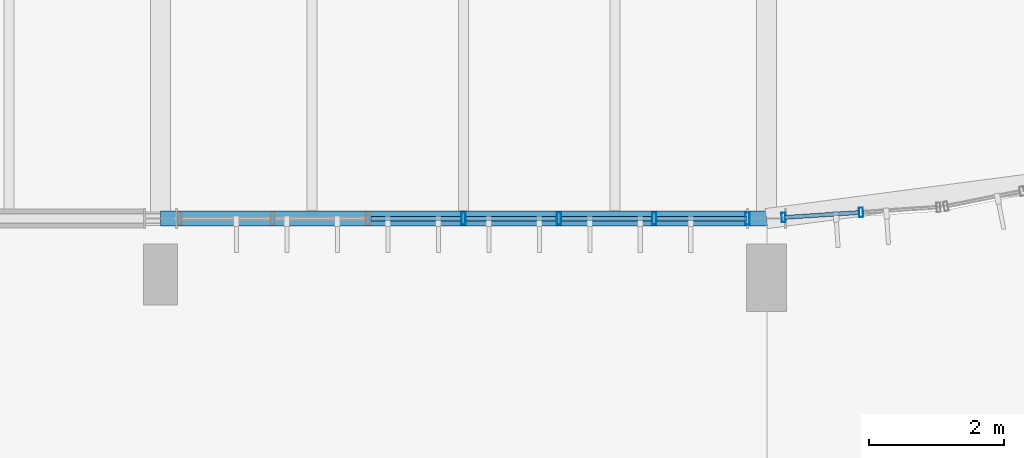
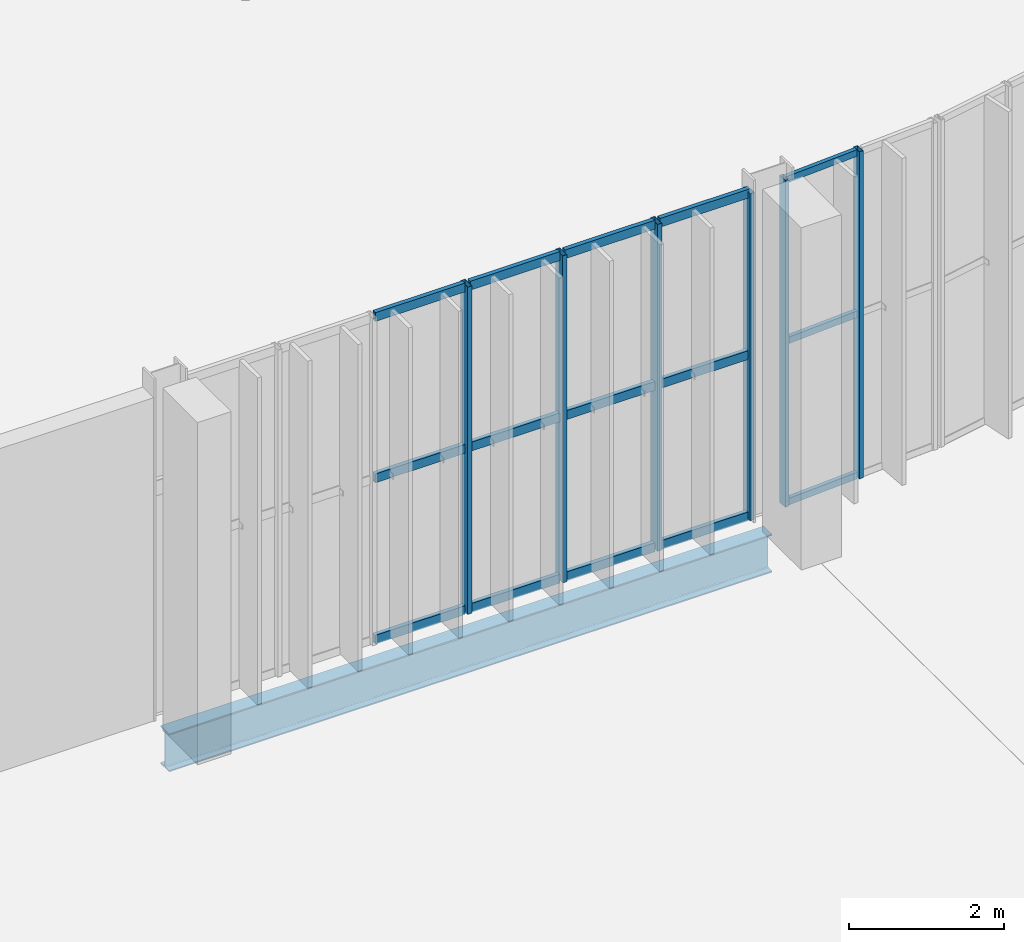
# One storey, part 46 of 158: 21 members, 1 beam, 2 elements without a shape of their own.
"""IFC4 building model written with IfcOpenShell, lengths in metres."""

from ifc_helpers import new_model, si_unit, derived_unit, direction, frame, origin, origin_2d, place, context, subcontext, project, spatial, hollow_rectangle, i_section, extrude, material, material_profile, profile_set, type_object, element, aggregate, save


model = new_model("IFC4")

# Units and contexts
model_context = context("Model", 3, precision=1e-05, world=origin(), true_north=direction((0.0, 1.0)))
body_context = subcontext(model_context, "Body", "Model", "MODEL_VIEW")
ifc_project = project(units=[si_unit("LENGTHUNIT", "METRE"), si_unit("AREAUNIT", "SQUARE_METRE"), si_unit("VOLUMEUNIT", "CUBIC_METRE"), si_unit("PLANEANGLEUNIT", "RADIAN"), si_unit("MASSUNIT", "GRAM", prefix="KILO"), si_unit("THERMODYNAMICTEMPERATUREUNIT", "KELVIN"), si_unit("TIMEUNIT", "SECOND"), derived_unit("THERMALTRANSMITTANCEUNIT", [(si_unit("MASSUNIT", "GRAM", prefix="KILO"), 1), (si_unit("THERMODYNAMICTEMPERATUREUNIT", "KELVIN"), -1), (si_unit("TIMEUNIT", "SECOND"), -3)])], contexts=[model_context])

# Site, building, storey
site_placement = place(None, origin())
site = spatial("IfcSite", under=ifc_project, at=site_placement, CompositionType="ELEMENT")
building_placement = place(site_placement, origin())
building = spatial("IfcBuilding", under=site, at=building_placement, Name="Cambertide Market Hall", CompositionType="ELEMENT")
storey_placement = place(building_placement, origin())
storey = spatial("IfcBuildingStorey", under=building, at=storey_placement, Name="L01", CompositionType="ELEMENT", Elevation=0.0)

# Curtain wall, members
ifc_material_1 = material(Name="Marine Anodized Aluminium 6063-T6 AA25", Category="aluminium")
curtain_wall_type_1 = type_object("IfcCurtainWallType", Name="Lantern Apse Chord Lower Curtain Wall", PredefinedType="USERDEFINED", material=ifc_material_1)
curtain_wall_1_placement = place(storey_placement, origin())
curtain_wall_1 = element("IfcCurtainWall", 1, at=curtain_wall_1_placement, inside=storey, type_object=curtain_wall_type_1, Name="Level 1 Curtain Wall CW-V1AE-L01-01", ObjectType="UNITIZED CURTAIN WALL", PredefinedType="USERDEFINED")
ifc_material_2 = material(Name="Champagne Marine Anodized Aluminium 6063-T6 AA25", Category="aluminium")
ifc_material_profile_1 = material_profile(ifc_material_2, hollow_rectangle(XDim=0.06005859375, YDim=0.139892578125, WallThickness=0.00341796875, at=origin_2d()), Name="ALU MULLION 60x140")
ifc_profile_set_1 = profile_set([ifc_material_profile_1], Name="Champagne Marine Anodized Aluminium 6063-T6 AA25")
member_type_1 = type_object("IfcMemberType", Name="Curtain Wall Mullion ALU MULLION 60x140", PredefinedType="MULLION", material=ifc_profile_set_1)
member_1_placement = place(storey_placement, frame((106.405029296875, 52.092041015625, 0.0), z_axis=(0.0, 0.0, 1.0), x_axis=(-0.997858917819, -0.065403211921, 0.0)))
member_1 = element("IfcMember", 2, at=member_1_placement, type_object=member_type_1, Name="CW-V1AE-L01-01 Mullion 2", PredefinedType="MULLION", context=body_context, shape_type="SweptSolid", body=[
    extrude(hollow_rectangle(XDim=0.06005859375, YDim=0.139892578125, WallThickness=0.00341796875, at=origin_2d()), origin(), (0.0, 0.0, 1.0), 5.159912109375),
])
member_2_placement = place(storey_placement, frame((105.25439453125, 52.0166015625, 0.0), z_axis=(0.0, 0.0, 1.0), x_axis=(-0.997858917819, -0.065403211921, 0.0)))
member_2 = element("IfcMember", 3, at=member_2_placement, type_object=member_type_1, Name="CW-V1AE-L01-01 Mullion 3", PredefinedType="MULLION", context=body_context, shape_type="SweptSolid", body=[
    extrude(hollow_rectangle(XDim=0.06005859375, YDim=0.139892578125, WallThickness=0.00341796875, at=origin_2d()), origin(), (0.0, 0.0, 1.0), 5.159912109375),
])

ifc_material_3 = material(Name="Marine Anodized Aluminium 6063-T6 AA25", Category="aluminium")
curtain_wall_type_2 = type_object("IfcCurtainWallType", Name="Lantern Straight Lower Curtain Wall", PredefinedType="USERDEFINED", material=ifc_material_3)
curtain_wall_2_placement = place(storey_placement, origin())
curtain_wall_2 = element("IfcCurtainWall", 4, at=curtain_wall_2_placement, inside=storey, type_object=curtain_wall_type_2, Name="Level 1 Curtain Wall CW-V1S-L01-7", ObjectType="UNITIZED CURTAIN WALL", PredefinedType="USERDEFINED")
ifc_material_4 = material(Name="Champagne Marine Anodized Aluminium 6063-T6 AA25", Category="aluminium")
ifc_material_profile_2 = material_profile(ifc_material_4, hollow_rectangle(XDim=0.06494140625, YDim=0.179931640625, WallThickness=0.00390625, at=origin_2d()), Name="ALU MULLION 65x180")
ifc_profile_set_2 = profile_set([ifc_material_profile_2], Name="Champagne Marine Anodized Aluminium 6063-T6 AA25")
member_type_2 = type_object("IfcMemberType", Name="Curtain Wall Mullion ALU MULLION 65x180", PredefinedType="MULLION", material=ifc_profile_set_2)
member_3_placement = place(storey_placement, frame((104.715087890625, 52.0, 0.0), z_axis=(0.0, 0.0, 1.0), x_axis=(-1.0, 0.0, 0.0)))
member_3 = element("IfcMember", 5, at=member_3_placement, type_object=member_type_2, Name="CW-V1S-L01-7 Mullion 1", PredefinedType="MULLION", context=body_context, shape_type="SweptSolid", body=[
    extrude(hollow_rectangle(XDim=0.06494140625, YDim=0.179931640625, WallThickness=0.00390625, at=origin_2d()), origin(), (0.0, 0.0, 1.0), 5.159912109375),
])
member_4_placement = place(storey_placement, frame((103.333251953125, 52.0, 0.0), z_axis=(0.0, 0.0, 1.0), x_axis=(-1.0, 0.0, 0.0)))
member_4 = element("IfcMember", 6, at=member_4_placement, type_object=member_type_2, Name="CW-V1S-L01-7 Mullion 2", PredefinedType="MULLION", context=body_context, shape_type="SweptSolid", body=[
    extrude(hollow_rectangle(XDim=0.06494140625, YDim=0.179931640625, WallThickness=0.00390625, at=origin_2d()), origin(), (0.0, 0.0, 1.0), 5.159912109375),
])
member_5_placement = place(storey_placement, frame((101.916748046875, 52.0, 0.0), z_axis=(0.0, 0.0, 1.0), x_axis=(-1.0, 0.0, 0.0)))
member_5 = element("IfcMember", 7, at=member_5_placement, type_object=member_type_2, Name="CW-V1S-L01-7 Mullion 3", PredefinedType="MULLION", context=body_context, shape_type="SweptSolid", body=[
    extrude(hollow_rectangle(XDim=0.06494140625, YDim=0.179931640625, WallThickness=0.00390625, at=origin_2d()), origin(), (0.0, 0.0, 1.0), 5.159912109375),
])
member_6_placement = place(storey_placement, frame((100.5, 52.0, 0.0), z_axis=(0.0, 0.0, 1.0), x_axis=(-1.0, 0.0, 0.0)))
member_6 = element("IfcMember", 8, at=member_6_placement, type_object=member_type_2, Name="CW-V1S-L01-7 Mullion 4", PredefinedType="MULLION", context=body_context, shape_type="SweptSolid", body=[
    extrude(hollow_rectangle(XDim=0.06494140625, YDim=0.179931640625, WallThickness=0.00390625, at=origin_2d()), origin(), (0.0, 0.0, 1.0), 5.159912109375),
])

# Member
ifc_material_5 = material(Name="Champagne Marine Anodized Aluminium 6063-T6 AA25", Category="aluminium")
ifc_material_profile_3 = material_profile(ifc_material_5, hollow_rectangle(XDim=0.06005859375, YDim=0.10498046875, WallThickness=0.0029296875, at=origin_2d()), Name="ALU TRANSOM 60x105")
ifc_profile_set_3 = profile_set([ifc_material_profile_3], Name="Champagne Marine Anodized Aluminium 6063-T6 AA25")
member_type_3 = type_object("IfcMemberType", Name="Curtain Wall Transom ALU TRANSOM 60x105", PredefinedType="USERDEFINED", material=ifc_profile_set_3)
member_7_placement = place(storey_placement, frame((106.365234375, 52.08935546875, 0.034912109375), z_axis=(-0.997871075842, -0.065217451634, 0.0), x_axis=(0.065217451634, -0.997871075842, 0.0)))
member_7 = element("IfcMember", 9, at=member_7_placement, type_object=member_type_3, Name="CW-V1AE-L01-01 Transom 1-2", ObjectType="TRANSOM", PredefinedType="USERDEFINED", context=body_context, shape_type="SweptSolid", body=[
    extrude(hollow_rectangle(XDim=0.06005859375, YDim=0.10498046875, WallThickness=0.0029296875, at=origin_2d()), origin(), (0.0, 0.0, 1.0), 1.108154296875),
])

member_8_placement = place(storey_placement, frame((106.365234375, 52.08935546875, 2.580078125), z_axis=(-0.997871075842, -0.065217451634, 0.0), x_axis=(0.065217451634, -0.997871075842, 0.0)))
member_8 = element("IfcMember", 10, at=member_8_placement, type_object=member_type_3, Name="CW-V1AE-L01-01 Transom 2-2", ObjectType="TRANSOM", PredefinedType="USERDEFINED", context=body_context, shape_type="SweptSolid", body=[
    extrude(hollow_rectangle(XDim=0.06005859375, YDim=0.10498046875, WallThickness=0.0029296875, at=origin_2d()), origin(), (0.0, 0.0, 1.0), 1.108154296875),
])

member_9_placement = place(storey_placement, frame((106.365234375, 52.08935546875, 5.125), z_axis=(-0.997871075842, -0.065217451634, 0.0), x_axis=(0.065217451634, -0.997871075842, 0.0)))
member_9 = element("IfcMember", 11, at=member_9_placement, type_object=member_type_3, Name="CW-V1AE-L01-01 Transom 3-2", ObjectType="TRANSOM", PredefinedType="USERDEFINED", context=body_context, shape_type="SweptSolid", body=[
    extrude(hollow_rectangle(XDim=0.06005859375, YDim=0.10498046875, WallThickness=0.0029296875, at=origin_2d()), origin(), (0.0, 0.0, 1.0), 1.108154296875),
])

aggregate(curtain_wall_1, [member_1, member_2, member_7, member_8, member_9])

ifc_material_6 = material(Name="Champagne Marine Anodized Aluminium 6063-T6 AA25", Category="aluminium")
ifc_material_profile_4 = material_profile(ifc_material_6, hollow_rectangle(XDim=0.06494140625, YDim=0.139892578125, WallThickness=0.00341796875, at=origin_2d()), Name="ALU TRANSOM 65x140")
ifc_profile_set_4 = profile_set([ifc_material_profile_4], Name="Champagne Marine Anodized Aluminium 6063-T6 AA25")
member_type_4 = type_object("IfcMemberType", Name="Curtain Wall Transom ALU TRANSOM 65x140", PredefinedType="USERDEFINED", material=ifc_profile_set_4)
member_10_placement = place(storey_placement, frame((104.7099609375, 52.0, 0.034912109375), z_axis=(-1.0, 0.0, 0.0), x_axis=(0.0, -1.0, 0.0)))
member_10 = element("IfcMember", 12, at=member_10_placement, type_object=member_type_4, Name="CW-V1S-L01-7 Transom 1-1", ObjectType="TRANSOM", PredefinedType="USERDEFINED", context=body_context, shape_type="SweptSolid", body=[
    extrude(hollow_rectangle(XDim=0.06494140625, YDim=0.139892578125, WallThickness=0.00341796875, at=origin_2d()), origin(), (0.0, 0.0, 1.0), 1.336669921875),
])

member_11_placement = place(storey_placement, frame((103.293212890625, 52.0, 0.034912109375), z_axis=(-1.0, 0.0, 0.0), x_axis=(0.0, -1.0, 0.0)))
member_11 = element("IfcMember", 13, at=member_11_placement, type_object=member_type_4, Name="CW-V1S-L01-7 Transom 1-2", ObjectType="TRANSOM", PredefinedType="USERDEFINED", context=body_context, shape_type="SweptSolid", body=[
    extrude(hollow_rectangle(XDim=0.06494140625, YDim=0.139892578125, WallThickness=0.00341796875, at=origin_2d()), origin(), (0.0, 0.0, 1.0), 1.33642578125),
])

member_12_placement = place(storey_placement, frame((101.876708984375, 52.0, 0.034912109375), z_axis=(-1.0, 0.0, 0.0), x_axis=(0.0, -1.0, 0.0)))
member_12 = element("IfcMember", 14, at=member_12_placement, type_object=member_type_4, Name="CW-V1S-L01-7 Transom 1-3", ObjectType="TRANSOM", PredefinedType="USERDEFINED", context=body_context, shape_type="SweptSolid", body=[
    extrude(hollow_rectangle(XDim=0.06494140625, YDim=0.139892578125, WallThickness=0.00341796875, at=origin_2d()), origin(), (0.0, 0.0, 1.0), 1.336669921875),
])

member_13_placement = place(storey_placement, frame((100.4599609375, 52.0, 0.034912109375), z_axis=(-1.0, 0.0, 0.0), x_axis=(0.0, -1.0, 0.0)))
member_13 = element("IfcMember", 15, at=member_13_placement, type_object=member_type_4, Name="CW-V1S-L01-7 Transom 1-4", ObjectType="TRANSOM", PredefinedType="USERDEFINED", context=body_context, shape_type="SweptSolid", body=[
    extrude(hollow_rectangle(XDim=0.06494140625, YDim=0.139892578125, WallThickness=0.00341796875, at=origin_2d()), origin(), (0.0, 0.0, 1.0), 1.336669921875),
])

member_14_placement = place(storey_placement, frame((104.7099609375, 52.0, 2.580078125), z_axis=(-1.0, 0.0, 0.0), x_axis=(0.0, -1.0, 0.0)))
member_14 = element("IfcMember", 16, at=member_14_placement, type_object=member_type_4, Name="CW-V1S-L01-7 Transom 2-1", ObjectType="TRANSOM", PredefinedType="USERDEFINED", context=body_context, shape_type="SweptSolid", body=[
    extrude(hollow_rectangle(XDim=0.06494140625, YDim=0.139892578125, WallThickness=0.00341796875, at=origin_2d()), origin(), (0.0, 0.0, 1.0), 1.336669921875),
])

member_15_placement = place(storey_placement, frame((103.293212890625, 52.0, 2.580078125), z_axis=(-1.0, 0.0, 0.0), x_axis=(0.0, -1.0, 0.0)))
member_15 = element("IfcMember", 17, at=member_15_placement, type_object=member_type_4, Name="CW-V1S-L01-7 Transom 2-2", ObjectType="TRANSOM", PredefinedType="USERDEFINED", context=body_context, shape_type="SweptSolid", body=[
    extrude(hollow_rectangle(XDim=0.06494140625, YDim=0.139892578125, WallThickness=0.00341796875, at=origin_2d()), origin(), (0.0, 0.0, 1.0), 1.33642578125),
])

member_16_placement = place(storey_placement, frame((101.876708984375, 52.0, 2.580078125), z_axis=(-1.0, 0.0, 0.0), x_axis=(0.0, -1.0, 0.0)))
member_16 = element("IfcMember", 18, at=member_16_placement, type_object=member_type_4, Name="CW-V1S-L01-7 Transom 2-3", ObjectType="TRANSOM", PredefinedType="USERDEFINED", context=body_context, shape_type="SweptSolid", body=[
    extrude(hollow_rectangle(XDim=0.06494140625, YDim=0.139892578125, WallThickness=0.00341796875, at=origin_2d()), origin(), (0.0, 0.0, 1.0), 1.336669921875),
])

member_17_placement = place(storey_placement, frame((100.4599609375, 52.0, 2.580078125), z_axis=(-1.0, 0.0, 0.0), x_axis=(0.0, -1.0, 0.0)))
member_17 = element("IfcMember", 19, at=member_17_placement, type_object=member_type_4, Name="CW-V1S-L01-7 Transom 2-4", ObjectType="TRANSOM", PredefinedType="USERDEFINED", context=body_context, shape_type="SweptSolid", body=[
    extrude(hollow_rectangle(XDim=0.06494140625, YDim=0.139892578125, WallThickness=0.00341796875, at=origin_2d()), origin(), (0.0, 0.0, 1.0), 1.336669921875),
])

member_18_placement = place(storey_placement, frame((104.7099609375, 52.0, 5.125), z_axis=(-1.0, 0.0, 0.0), x_axis=(0.0, -1.0, 0.0)))
member_18 = element("IfcMember", 20, at=member_18_placement, type_object=member_type_4, Name="CW-V1S-L01-7 Transom 3-1", ObjectType="TRANSOM", PredefinedType="USERDEFINED", context=body_context, shape_type="SweptSolid", body=[
    extrude(hollow_rectangle(XDim=0.06494140625, YDim=0.139892578125, WallThickness=0.00341796875, at=origin_2d()), origin(), (0.0, 0.0, 1.0), 1.336669921875),
])

member_19_placement = place(storey_placement, frame((103.293212890625, 52.0, 5.125), z_axis=(-1.0, 0.0, 0.0), x_axis=(0.0, -1.0, 0.0)))
member_19 = element("IfcMember", 21, at=member_19_placement, type_object=member_type_4, Name="CW-V1S-L01-7 Transom 3-2", ObjectType="TRANSOM", PredefinedType="USERDEFINED", context=body_context, shape_type="SweptSolid", body=[
    extrude(hollow_rectangle(XDim=0.06494140625, YDim=0.139892578125, WallThickness=0.00341796875, at=origin_2d()), origin(), (0.0, 0.0, 1.0), 1.33642578125),
])

member_20_placement = place(storey_placement, frame((101.876708984375, 52.0, 5.125), z_axis=(-1.0, 0.0, 0.0), x_axis=(0.0, -1.0, 0.0)))
member_20 = element("IfcMember", 22, at=member_20_placement, type_object=member_type_4, Name="CW-V1S-L01-7 Transom 3-3", ObjectType="TRANSOM", PredefinedType="USERDEFINED", context=body_context, shape_type="SweptSolid", body=[
    extrude(hollow_rectangle(XDim=0.06494140625, YDim=0.139892578125, WallThickness=0.00341796875, at=origin_2d()), origin(), (0.0, 0.0, 1.0), 1.336669921875),
])

member_21_placement = place(storey_placement, frame((100.4599609375, 52.0, 5.125), z_axis=(-1.0, 0.0, 0.0), x_axis=(0.0, -1.0, 0.0)))
member_21 = element("IfcMember", 23, at=member_21_placement, type_object=member_type_4, Name="CW-V1S-L01-7 Transom 3-4", ObjectType="TRANSOM", PredefinedType="USERDEFINED", context=body_context, shape_type="SweptSolid", body=[
    extrude(hollow_rectangle(XDim=0.06494140625, YDim=0.139892578125, WallThickness=0.00341796875, at=origin_2d()), origin(), (0.0, 0.0, 1.0), 1.336669921875),
])

aggregate(curtain_wall_2, [member_3, member_4, member_5, member_6, member_10, member_11, member_12, member_13, member_14, member_15, member_16, member_17, member_18, member_19, member_20, member_21])

# Beam
ifc_material_7 = material(Name="Steel S355", Category="steel")
ifc_material_profile_5 = material_profile(ifc_material_7, i_section(OverallWidth=0.219970703125, OverallDepth=0.60009765625, WebThickness=0.011962890625, FlangeThickness=0.01904296875, FilletRadius=0.02392578125, at=origin_2d()), Name="IPE 600")
ifc_profile_set_5 = profile_set([ifc_material_profile_5], Name="Steel S355")
beam_type = type_object("IfcBeamType", Name="Steel Girder IPE 600", PredefinedType="BEAM", material=ifc_profile_set_5)
beam_placement = place(storey_placement, frame((96.0, 52.0, -0.610107421875), z_axis=(1.0, 0.0, 0.0), x_axis=(0.0, 1.0, 0.0)))
element("IfcBeam", 24, at=beam_placement, inside=storey, type_object=beam_type, Name="Level 1 Beam BM-V1S-L01-7", PredefinedType="BEAM", context=body_context, shape_type="SweptSolid", body=[
    extrude(i_section(OverallWidth=0.219970703125, OverallDepth=0.60009765625, WebThickness=0.011962890625, FlangeThickness=0.01904296875, FilletRadius=0.02392578125, at=origin_2d()), origin(), (0.0, 0.0, 1.0), 9.0),
])

save(model, "model.ifc")
